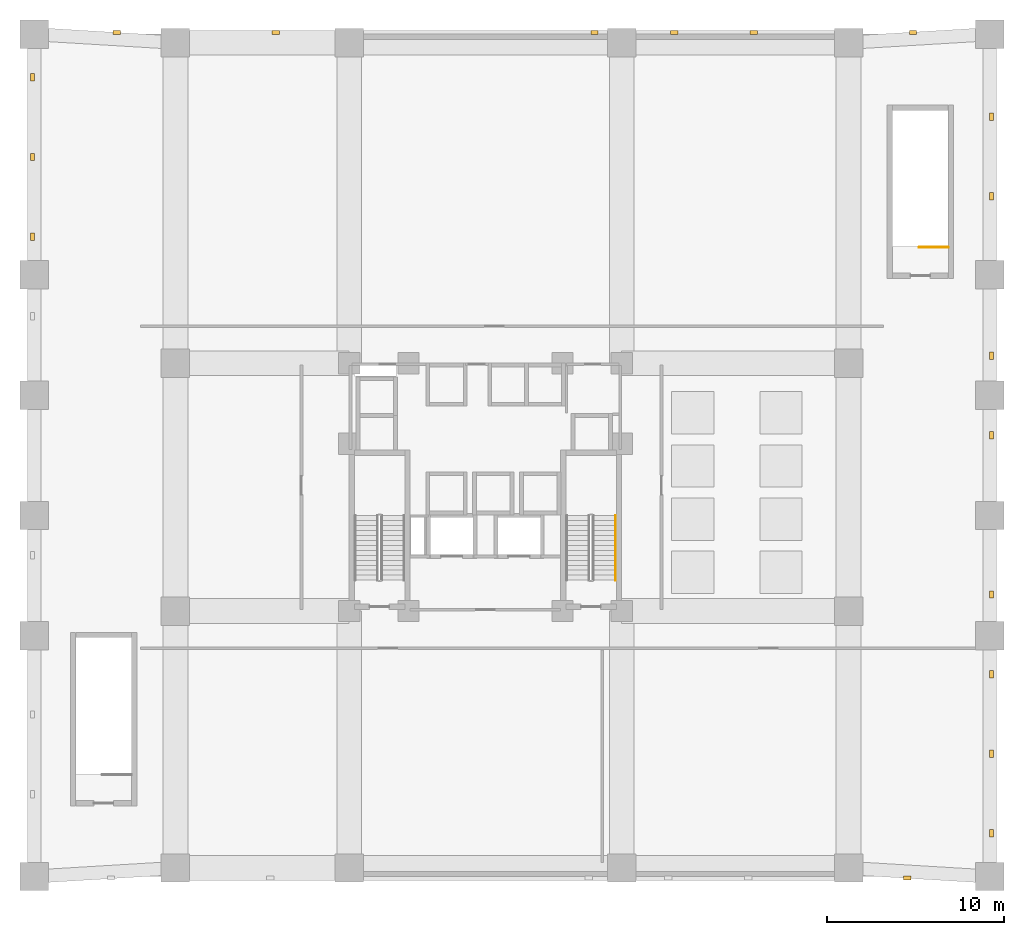
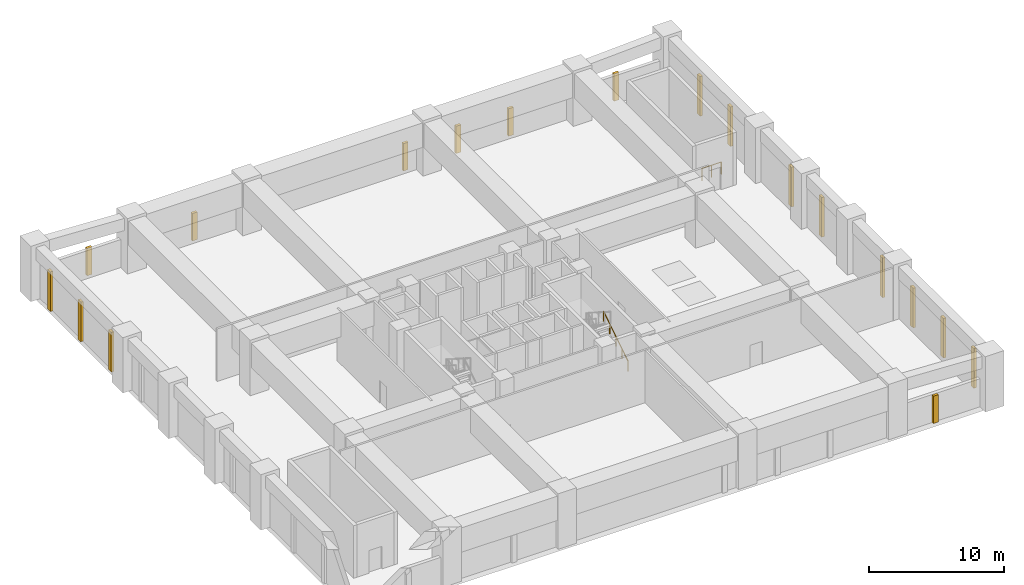
# One storey, part 6 of 6: 18 coverings, 2 railings.
"""IFC4 building model written with IfcOpenShell, lengths in metres."""

from ifc_helpers import new_model, si_unit, derived_unit, direction, frame, origin, origin_2d, place, context, subcontext, project, spatial, rectangle, circle, extrude, material, layer, layer_set, type_object, element, save


model = new_model("IFC4")

# Units and contexts
model_context = context("Model", 3, precision=1e-05, world=origin(), true_north=direction((0.0, 1.0)))
body_context = subcontext(model_context, "Body", "Model", "MODEL_VIEW")
ifc_project = project(units=[si_unit("LENGTHUNIT", "METRE"), si_unit("AREAUNIT", "SQUARE_METRE"), si_unit("VOLUMEUNIT", "CUBIC_METRE"), si_unit("PLANEANGLEUNIT", "RADIAN"), si_unit("MASSUNIT", "GRAM", prefix="KILO"), derived_unit("THERMALTRANSMITTANCEUNIT", [(si_unit("MASSUNIT", "GRAM", prefix="KILO"), 1), (si_unit("TIMEUNIT", "SECOND"), -3), (si_unit("THERMODYNAMICTEMPERATUREUNIT", "KELVIN"), -1)])], contexts=[model_context])

# Site, building, storey
site_placement = place(None, origin())
site = spatial("IfcSite", under=ifc_project, at=site_placement, CompositionType="ELEMENT")
building_placement = place(site_placement, origin())
building = spatial("IfcBuilding", under=site, at=building_placement, Name="Korrvale Station Residences", CompositionType="ELEMENT")
storey_placement = place(building_placement, frame((0.0, 0.0, 20.800048828125)))
storey = spatial("IfcBuildingStorey", under=building, at=storey_placement, Name="L04", CompositionType="ELEMENT", Elevation=20.800048828125)

# Coverings
ifc_material_1 = material(Name="Architectural precast concrete C45/55", Category="concrete")
ifc_layer = layer(ifc_material_1, 0.219970703125, Name="Architectural precast concrete C45/55")
ifc_layer_set = layer_set([ifc_layer], Name="Architectural precast concrete C45/55")
covering_type = type_object("IfcCoveringType", Name="COV-PIER-400", PredefinedType="CLADDING", material=ifc_layer_set)
for number, where, z_axis, x_axis, name in (
    (1, (49.340087890625, -0.090087890625, 0.02490234375), (0.0, 0.0, 1.0), (1.0, 0.0, 0.0), "L04 Architectural Precast Facade Pier 01"),
    (2, (4.659912109375, 47.68994140625, 0.02490234375), (0.0, 0.0, 1.0), (1.0, 0.0, 0.0), "L04 Architectural Precast Facade Pier 07"),
    (3, (13.659912109375, 47.68994140625, 0.02490234375), (0.0, 0.0, 1.0), (1.0, 0.0, 0.0), "L04 Architectural Precast Facade Pier 08"),
    (4, (31.659912109375, 47.68994140625, 0.02490234375), (0.0, 0.0, 1.0), (1.0, 0.0, 0.0), "L04 Architectural Precast Facade Pier 09"),
    (5, (36.159912109375, 47.68994140625, 0.02490234375), (0.0, 0.0, 1.0), (1.0, 0.0, 0.0), "L04 Architectural Precast Facade Pier 10"),
    (6, (40.659912109375, 47.68994140625, 0.02490234375), (0.0, 0.0, 1.0), (1.0, 0.0, 0.0), "L04 Architectural Precast Facade Pier 11"),
    (7, (49.659912109375, 47.68994140625, 0.02490234375), (0.0, 0.0, 1.0), (1.0, 0.0, 0.0), "L04 Architectural Precast Facade Pier 12"),
):
    element("IfcCovering", number, at=place(storey_placement, frame(where, z_axis=z_axis, x_axis=x_axis)), inside=storey, type_object=covering_type, Name=name, PredefinedType="CLADDING", context=body_context, shape_type="SweptSolid", body=[
        extrude(rectangle(XDim=0.419921875, YDim=0.219970703125, at=origin_2d()), origin(), (0.0, 0.0, 1.0), 2.47509765625),
    ])
for number, where, z_axis, x_axis, name in (
    (8, (-0.090087890625, 36.159912109375, 0.02490234375), (0.0, 0.0, 1.0), (0.0, 1.0, 0.0), "L04 Architectural Precast Facade Pier 17"),
    (9, (-0.090087890625, 40.659912109375, 0.02490234375), (0.0, 0.0, 1.0), (0.0, 1.0, 0.0), "L04 Architectural Precast Facade Pier 18"),
    (10, (-0.090087890625, 45.159912109375, 0.02490234375), (0.0, 0.0, 1.0), (0.0, 1.0, 0.0), "L04 Architectural Precast Facade Pier 19"),
    (11, (54.090087890625, 42.93994140625, 0.02490234375), (0.0, 0.0, 1.0), (0.0, 1.0, 0.0), "L04 Architectural Precast Facade Pier 20"),
    (12, (54.090087890625, 38.43994140625, 0.02490234375), (0.0, 0.0, 1.0), (0.0, 1.0, 0.0), "L04 Architectural Precast Facade Pier 21"),
    (13, (54.090087890625, 29.43994140625, 0.02490234375), (0.0, 0.0, 1.0), (0.0, 1.0, 0.0), "L04 Architectural Precast Facade Pier 22"),
    (14, (54.090087890625, 24.93994140625, 0.02490234375), (0.0, 0.0, 1.0), (0.0, 1.0, 0.0), "L04 Architectural Precast Facade Pier 23"),
    (15, (54.090087890625, 15.93994140625, 0.02490234375), (0.0, 0.0, 1.0), (0.0, 1.0, 0.0), "L04 Architectural Precast Facade Pier 24"),
    (16, (54.090087890625, 11.43994140625, 0.02490234375), (0.0, 0.0, 1.0), (0.0, 1.0, 0.0), "L04 Architectural Precast Facade Pier 25"),
    (17, (54.090087890625, 6.93994140625, 0.02490234375), (0.0, 0.0, 1.0), (0.0, 1.0, 0.0), "L04 Architectural Precast Facade Pier 26"),
    (18, (54.090087890625, 2.43994140625, 0.02490234375), (0.0, 0.0, 1.0), (0.0, 1.0, 0.0), "L04 Architectural Precast Facade Pier 27"),
):
    element("IfcCovering", number, at=place(storey_placement, frame(where, z_axis=z_axis, x_axis=x_axis)), inside=storey, type_object=covering_type, Name=name, PredefinedType="CLADDING", context=body_context, shape_type="SweptSolid", body=[
        extrude(rectangle(XDim=0.419921875, YDim=0.219970703125, at=origin_2d()), origin(), (0.0, 0.0, 1.0), 3.574951171875),
    ])

# Railings
ifc_material_2 = material(Name="Brushed stainless-steel continuous stair handrail", Category="steel")
railing_type_1 = type_object("IfcRailingType", Name="RLG-SHND-900", PredefinedType="HANDRAIL", material=ifc_material_2)
railing_1_placement = place(storey_placement, frame((32.85009765625, 16.75, 0.178466796875)))
element("IfcRailing", 19, at=railing_1_placement, inside=storey, type_object=railing_type_1, Name="L04 ST-2 stair handrail 1", PredefinedType="HANDRAIL", context=body_context, shape_type="SweptSolid", body=[
    extrude(circle(Radius=0.02392578125, at=origin_2d()), frame((0.0, 0.0, 0.8759765625), z_axis=(0.0, 0.843111507901, 0.53773877045), x_axis=(-1.0, 0.0, 0.0)), (0.0, 0.0, 1.0), 4.317138671875),
    extrude(circle(Radius=0.02099609375, at=origin_2d()), origin(), (0.0, 0.0, 1.0), 0.851806640625),
    extrude(circle(Radius=0.02099609375, at=origin_2d()), frame((0.0, 0.909912109375, 0.580322265625)), (0.0, 0.0, 1.0), 0.851806640625),
    extrude(circle(Radius=0.02099609375, at=origin_2d()), frame((0.0, 1.81982421875, 1.16064453125)), (0.0, 0.0, 1.0), 0.851806640625),
    extrude(circle(Radius=0.02099609375, at=origin_2d()), frame((0.0, 2.72998046875, 1.7412109375)), (0.0, 0.0, 1.0), 0.851806640625),
    extrude(circle(Radius=0.02099609375, at=origin_2d()), frame((0.0, 3.639892578125, 2.321533203125)), (0.0, 0.0, 1.0), 0.851806640625),
])
ifc_material_3 = material(Name="Galvanised painted tubular steel stair guard", Category="steel")
railing_type_2 = type_object("IfcRailingType", Name="RLG-STR-1100", PredefinedType="GUARDRAIL", material=ifc_material_3)
railing_2_placement = place(storey_placement, frame((51.64990234375, 35.550048828125, 0.0)))
element("IfcRailing", 20, at=railing_2_placement, inside=storey, type_object=railing_type_2, Name="L04 ST-4 top well guard 1", PredefinedType="GUARDRAIL", context=body_context, shape_type="SweptSolid", body=[
    extrude(circle(Radius=0.02392578125, at=origin_2d()), frame((0.0, 0.0, 1.076171875), z_axis=(-1.0, 0.0, 0.0), x_axis=(0.0, -1.0, 0.0)), (0.0, 0.0, 1.0), 1.64990234375),
    extrude(circle(Radius=0.02099609375, at=origin_2d()), origin(), (0.0, 0.0, 1.0), 1.052001953125),
    extrude(circle(Radius=0.02099609375, at=origin_2d()), frame((-0.824951171875, 0.0, 0.0)), (0.0, 0.0, 1.0), 1.052001953125),
    extrude(circle(Radius=0.02099609375, at=origin_2d()), frame((-1.64990234375, 0.0, 0.0)), (0.0, 0.0, 1.0), 1.052001953125),
])

save(model, "model.ifc")
